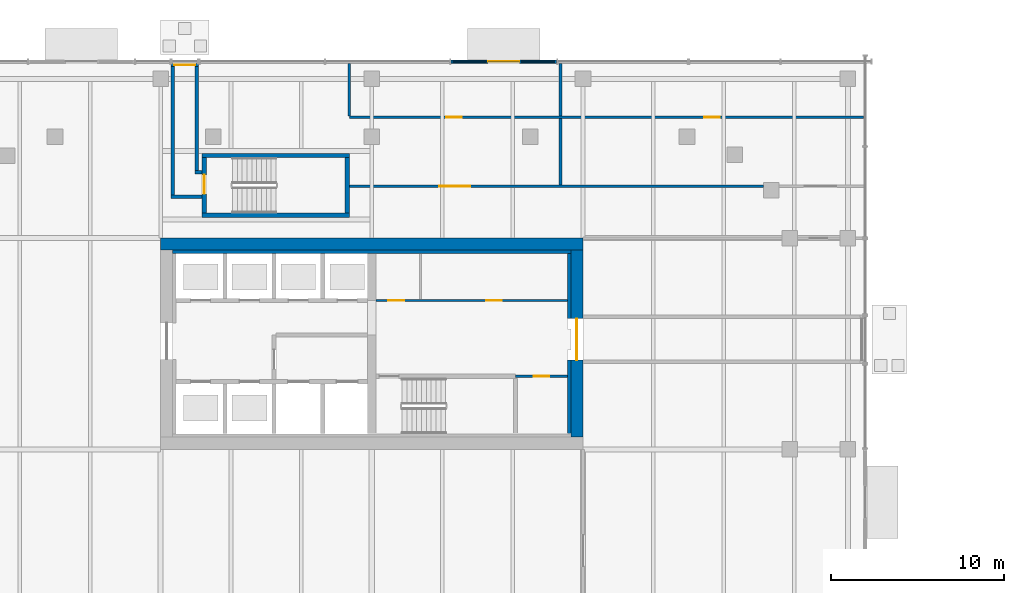
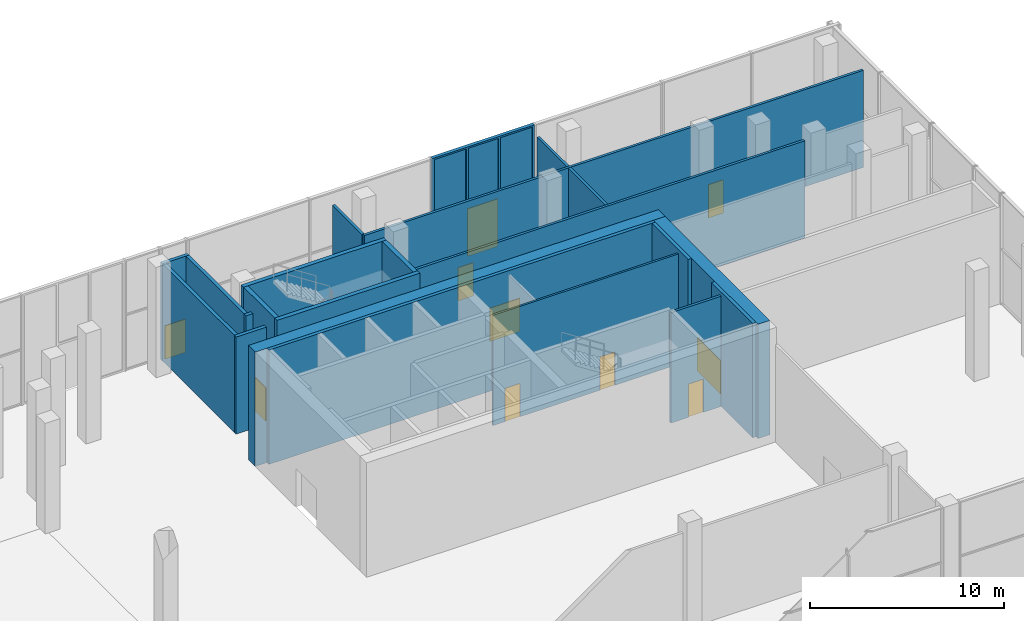
# One storey, part 24 of 36: 22 walls, 10 doors, 3 plates, 13 openings.
"""IFC4 building model written with IfcOpenShell, lengths in metres."""

from ifc_helpers import new_model, si_unit, direction, frame, frame_2d, origin, place, context, subcontext, project, spatial, polyline, rectangle, outline, extrude, source, transform, mapped, material, layer, layer_set, type_object, element, fill, save


model = new_model("IFC4")

# Units and contexts
model_context = context("Model", 3, precision=1e-05, world=origin(), true_north=direction((0.0, 1.0)))
body_context = subcontext(model_context, "Body", "Model", "MODEL_VIEW")
ifc_project = project(units=[si_unit("LENGTHUNIT", "METRE"), si_unit("AREAUNIT", "SQUARE_METRE"), si_unit("VOLUMEUNIT", "CUBIC_METRE"), si_unit("PLANEANGLEUNIT", "RADIAN"), si_unit("MASSUNIT", "GRAM", prefix="KILO")], contexts=[model_context])

# Site, building, storey
site_placement = place(None, origin())
site = spatial("IfcSite", under=ifc_project, at=site_placement, CompositionType="ELEMENT")
building_placement = place(site_placement, origin())
building = spatial("IfcBuilding", under=site, at=building_placement, Name="Tessera Gate Towers", CompositionType="ELEMENT")
storey_placement = place(building_placement, origin())
storey = spatial("IfcBuildingStorey", under=building, at=storey_placement, Name="L00", CompositionType="ELEMENT", Elevation=0.0)

# Wall
ifc_material_1 = material(Name="Concrete C40/50", Category="concrete")
ifc_layer_1 = layer(ifc_material_1, 0.25)
ifc_layer_set_1 = layer_set([ifc_layer_1], Name="CORE ENCLOSURE WALL 250")
wall_type_1 = type_object("IfcWallType", Name="CORE ENCLOSURE WALL 250", PredefinedType="SOLIDWALL", material=ifc_layer_set_1)
wall_1_placement = place(storey_placement, frame((108.5, 50.125, 0.0), z_axis=(0.0, 0.0, 1.0), x_axis=(-1.0, 0.0, 0.0)))
element("IfcWall", 1, at=wall_1_placement, inside=storey, type_object=wall_type_1, Name="L00 ST7 enclosure wall", PredefinedType="SOLIDWALL", context=body_context, shape_type="SweptSolid", body=[
    extrude(rectangle(XDim=8.5, YDim=0.25, at=frame_2d((4.25, 0.0))), origin(), (0.0, 0.0, 1.0), 7.199951171875),
])

# Wall, opening, door
wall_2_placement = place(storey_placement, frame((100.125, 50.25, 0.0), z_axis=(0.0, 0.0, 1.0), x_axis=(0.0, 1.0, 0.0)))
wall_2 = element("IfcWall", 2, at=wall_2_placement, inside=storey, type_object=wall_type_1, Name="L00 ST7 enclosure wall", PredefinedType="SOLIDWALL", context=body_context, shape_type="SweptSolid", body=[
    extrude(rectangle(XDim=3.199951171875, YDim=0.25, at=frame_2d((1.60009765625, 0.0))), origin(), (0.0, 0.0, 1.0), 7.199951171875),
])
shared_shape_1 = source(origin(), body_context, "Body", "SweptSolid", [
    extrude(rectangle(XDim=1.10009765625, YDim=2.10009765625, at=frame_2d((0.550048828125, 1.050048828125))), frame((0.0, 0.135009765625, 0.0), z_axis=(0.0, -1.0, 0.0), x_axis=(1.0, 0.0, 0.0)), (0.0, 0.0, 1.0), 0.27001953125),
])
opening_1_placement = place(wall_2_placement, frame((1.10009765625, 0.0, 0.0)))
opening_1 = element("IfcOpeningElement", 3, at=opening_1_placement, cuts=wall_2, Name="Opening SD-ST7-1", PredefinedType="OPENING", context=body_context, shape_type="MappedRepresentation", body=[
    mapped(shared_shape_1, transform((0.0, 0.0, 0.0), scale=1.0)),
])
ifc_material_2 = material(Name="Hollow steel fire door", Category="steel")
door_type_1 = type_object("IfcDoorType", Name="CORE DOOR SD1100 1100x2100", OperationType="NOTDEFINED", PredefinedType="DOOR", material=ifc_material_2)
shared_shape_2 = source(origin(), body_context, "Body", "SweptSolid", [
    extrude(rectangle(XDim=1.10009765625, YDim=2.10009765625, at=frame_2d((0.550048828125, 1.050048828125))), frame((0.0, 0.02490234375, 0.0), z_axis=(0.0, -1.0, 0.0), x_axis=(1.0, 0.0, 0.0)), (0.0, 0.0, 1.0), 0.050048828125),
])
door_1_placement = place(opening_1_placement, origin())
door_1 = element("IfcDoor", 4, at=door_1_placement, inside=storey, type_object=door_type_1, Name="Stair door", OperationType="SINGLE_SWING_RIGHT", OverallHeight=2.10009765625, OverallWidth=1.10009765625, PredefinedType="DOOR", context=body_context, shape_type="MappedRepresentation", body=[
    mapped(shared_shape_2, transform((0.0, 0.0, 0.0), scale=1.0)),
])
fill(opening_1, door_1)

# Walls
wall_3_placement = place(storey_placement, frame((100.0, 53.574951171875, 0.0), z_axis=(0.0, 0.0, 1.0), x_axis=(1.0, 0.0, 0.0)))
element("IfcWall", 5, at=wall_3_placement, inside=storey, type_object=wall_type_1, Name="L00 ST7 enclosure wall", PredefinedType="SOLIDWALL", context=body_context, shape_type="SweptSolid", body=[
    extrude(rectangle(XDim=8.5, YDim=0.25, at=frame_2d((4.25, 0.0))), origin(), (0.0, 0.0, 1.0), 7.199951171875),
])
wall_4_placement = place(storey_placement, frame((108.375, 53.449951171875, 0.0), z_axis=(0.0, 0.0, 1.0), x_axis=(0.0, -1.0, 0.0)))
element("IfcWall", 6, at=wall_4_placement, inside=storey, type_object=wall_type_1, Name="L00 ST7 enclosure wall", PredefinedType="SOLIDWALL", context=body_context, shape_type="SweptSolid", body=[
    extrude(rectangle(XDim=3.199951171875, YDim=0.25, at=frame_2d((1.60009765625, 0.0))), origin(), (0.0, 0.0, 1.0), 7.199951171875),
])

# Wall, openings, doors
ifc_material_3 = material(Name="Gypsum board on steel studs", Category="steel")
ifc_layer_2 = layer(ifc_material_3, 0.1201171875)
ifc_layer_set_2 = layer_set([ifc_layer_2], Name="CORE PARTITION 120")
wall_type_2 = type_object("IfcWallType", Name="CORE PARTITION 120", PredefinedType="PARTITIONING", material=ifc_layer_set_2)
wall_5_placement = place(storey_placement, frame((110.050048828125, 45.199951171875, 0.0), z_axis=(0.0, 0.0, 1.0), x_axis=(1.0, 0.0, 0.0)))
wall_5 = element("IfcWall", 7, at=wall_5_placement, inside=storey, type_object=wall_type_2, Name="L00 core partition", PredefinedType="PARTITIONING", context=body_context, shape_type="SweptSolid", body=[
    extrude(rectangle(XDim=11.050048828125, YDim=0.1201171875, at=frame_2d((5.52490234375, 0.0))), origin(), (0.0, 0.0, 1.0), 6.949951171875),
])
shared_shape_3 = source(origin(), body_context, "Body", "SweptSolid", [
    extrude(rectangle(XDim=0.89990234375, YDim=2.10009765625, at=frame_2d((0.449951171875, 1.050048828125))), frame((0.0, 0.070068359375, 0.0), z_axis=(0.0, -1.0, 0.0), x_axis=(1.0, 0.0, 0.0)), (0.0, 0.0, 1.0), 0.14013671875),
])
opening_2_placement = place(wall_5_placement, frame((0.71240234375, 0.0, 0.0)))
opening_2 = element("IfcOpeningElement", 8, at=opening_2_placement, cuts=wall_5, Name="Opening RD-T2-02-04", PredefinedType="OPENING", context=body_context, shape_type="MappedRepresentation", body=[
    mapped(shared_shape_3, transform((0.0, 0.0, 0.0), scale=1.0)),
])
opening_3_placement = place(wall_5_placement, frame((6.362548828125, 0.0, 0.0)))
opening_3 = element("IfcOpeningElement", 9, at=opening_3_placement, cuts=wall_5, Name="Opening RD-T2-02-05", PredefinedType="OPENING", context=body_context, shape_type="MappedRepresentation", body=[
    mapped(shared_shape_3, transform((0.0, 0.0, 0.0), scale=1.0)),
])
ifc_material_4 = material(Name="Hollow steel fire door", Category="steel")
door_type_2 = type_object("IfcDoorType", Name="CORE DOOR RD 900x2100", OperationType="NOTDEFINED", PredefinedType="DOOR", material=ifc_material_4)
shared_shape_4 = source(origin(), body_context, "Body", "SweptSolid", [
    extrude(rectangle(XDim=0.89990234375, YDim=2.10009765625, at=frame_2d((0.449951171875, 1.050048828125))), frame((0.0, 0.02490234375, 0.0), z_axis=(0.0, -1.0, 0.0), x_axis=(1.0, 0.0, 0.0)), (0.0, 0.0, 1.0), 0.050048828125),
])
door_2_placement = place(opening_2_placement, origin())
door_2 = element("IfcDoor", 10, at=door_2_placement, inside=storey, type_object=door_type_2, Name="Core room door", OperationType="SINGLE_SWING_LEFT", OverallHeight=2.10009765625, OverallWidth=0.89990234375, PredefinedType="DOOR", context=body_context, shape_type="MappedRepresentation", body=[
    mapped(shared_shape_4, transform((0.0, 0.0, 0.0), scale=1.0)),
])
fill(opening_2, door_2)
door_3_placement = place(opening_3_placement, origin())
door_3 = element("IfcDoor", 11, at=door_3_placement, inside=storey, type_object=door_type_2, Name="Core room door", OperationType="SINGLE_SWING_RIGHT", OverallHeight=2.10009765625, OverallWidth=0.89990234375, PredefinedType="DOOR", context=body_context, shape_type="MappedRepresentation", body=[
    mapped(shared_shape_4, transform((0.0, 0.0, 0.0), scale=1.0)),
])
fill(opening_3, door_3)

# Wall
ifc_material_5 = material(Name="Concrete C60/75", Category="concrete")
ifc_layer_3 = layer(ifc_material_5, 0.699951171875)
ifc_layer_set_3 = layer_set([ifc_layer_3], Name="CORE SHEAR WALL 700 C60/75")
wall_type_3 = type_object("IfcWallType", Name="CORE SHEAR WALL 700 C60/75", PredefinedType="SHEAR", material=ifc_layer_set_3)
wall_6_placement = place(storey_placement, frame((97.60009765625, 48.449951171875, 0.0), z_axis=(0.0, 0.0, 1.0), x_axis=(1.0, 0.0, 0.0)))
element("IfcWall", 12, at=wall_6_placement, inside=storey, type_object=wall_type_3, Name="Core wall N L00", PredefinedType="SHEAR", context=body_context, shape_type="SweptSolid", body=[
    extrude(rectangle(XDim=24.39990234375, YDim=0.699951171875, at=frame_2d((12.199951171875, 0.0))), origin(), (0.0, 0.0, 1.0), 7.199951171875),
])

# Wall, opening, door
wall_7_placement = place(storey_placement, frame((121.64990234375, 48.10009765625, 0.0), z_axis=(0.0, 0.0, 1.0), x_axis=(0.0, -1.0, 0.0)))
wall_7 = element("IfcWall", 13, at=wall_7_placement, inside=storey, type_object=wall_type_3, Name="Core wall E L00", PredefinedType="SHEAR", context=body_context, shape_type="SweptSolid", body=[
    extrude(rectangle(XDim=10.800048828125, YDim=0.699951171875, at=frame_2d((5.39990234375, 0.0))), origin(), (0.0, 0.0, 1.0), 7.199951171875),
])
shared_shape_5 = source(origin(), body_context, "Body", "SweptSolid", [
    extrude(rectangle(XDim=2.39990234375, YDim=2.10009765625, at=frame_2d((1.199951171875, 1.050048828125))), frame((0.0, 0.35986328125, 0.0), z_axis=(0.0, -1.0, 0.0), x_axis=(1.0, 0.0, 0.0)), (0.0, 0.0, 1.0), 0.719970703125),
])
opening_4_placement = place(wall_7_placement, frame((3.949951171875, 0.0, 0.0)))
opening_4 = element("IfcOpeningElement", 14, at=opening_4_placement, cuts=wall_7, Name="Opening ED-T2-02-02", PredefinedType="OPENING", context=body_context, shape_type="MappedRepresentation", body=[
    mapped(shared_shape_5, transform((0.0, 0.0, 0.0), scale=1.0)),
])
ifc_material_6 = material(Name="Hollow steel fire door", Category="steel")
door_type_3 = type_object("IfcDoorType", Name="CORE DOOR ED2400 2400x2100", OperationType="NOTDEFINED", PredefinedType="DOOR", material=ifc_material_6)
shared_shape_6 = source(origin(), body_context, "Body", "SweptSolid", [
    extrude(rectangle(XDim=2.39990234375, YDim=2.10009765625, at=frame_2d((1.199951171875, 1.050048828125))), frame((0.0, 0.02490234375, 0.0), z_axis=(0.0, -1.0, 0.0), x_axis=(1.0, 0.0, 0.0)), (0.0, 0.0, 1.0), 0.050048828125),
])
door_4_placement = place(opening_4_placement, origin())
door_4 = element("IfcDoor", 15, at=door_4_placement, inside=storey, type_object=door_type_3, Name="Core exit door", OperationType="SINGLE_SWING_LEFT", OverallHeight=2.10009765625, OverallWidth=2.39990234375, PredefinedType="DOOR", context=body_context, shape_type="MappedRepresentation", body=[
    mapped(shared_shape_6, transform((0.0, 0.0, 0.0), scale=1.0)),
])
fill(opening_4, door_4)

# Walls
ifc_material_7 = material(Name="Concrete C60/75", Category="concrete")
ifc_layer_4 = layer(ifc_material_7, 0.199951171875)
ifc_layer_set_4 = layer_set([ifc_layer_4], Name="CORE WALL THICKENING 200")
wall_type_4 = type_object("IfcWallType", Name="CORE WALL THICKENING 200", PredefinedType="SOLIDWALL", material=ifc_layer_set_4)
wall_8_placement = place(storey_placement, frame((98.300048828125, 48.0, 0.0), z_axis=(0.0, 0.0, 1.0), x_axis=(1.0, 0.0, 0.0)))
element("IfcWall", 16, at=wall_8_placement, inside=storey, type_object=wall_type_4, Name="Core wall thickening N L00", PredefinedType="SOLIDWALL", context=body_context, shape_type="SweptSolid", body=[
    extrude(rectangle(XDim=23.0, YDim=0.199951171875, at=frame_2d((11.5, 0.0))), origin(), (0.0, 0.0, 1.0), 7.199951171875),
])
wall_9_placement = place(storey_placement, frame((121.199951171875, 37.5, 0.0), z_axis=(0.0, 0.0, 1.0), x_axis=(0.0, 1.0, 0.0)))
element("IfcWall", 17, at=wall_9_placement, inside=storey, type_object=wall_type_4, Name="Core wall thickening E L00", PredefinedType="SOLIDWALL", context=body_context, shape_type="SweptSolid", body=[
    extrude(rectangle(XDim=4.25, YDim=0.199951171875, at=frame_2d((2.125, 0.0))), origin(), (0.0, 0.0, 1.0), 7.199951171875),
])
wall_10_placement = place(storey_placement, frame((121.199951171875, 44.14990234375, 0.0), z_axis=(0.0, 0.0, 1.0), x_axis=(0.0, 1.0, 0.0)))
element("IfcWall", 18, at=wall_10_placement, inside=storey, type_object=wall_type_4, Name="Core wall thickening E L00", PredefinedType="SOLIDWALL", context=body_context, shape_type="SweptSolid", body=[
    extrude(rectangle(XDim=3.75, YDim=0.199951171875, at=frame_2d((1.875, 0.0))), origin(), (0.0, 0.0, 1.0), 7.199951171875),
])

# Wall, opening, door
ifc_material_8 = material(Name="Gypsum board on steel studs, mineral wool", Category="steel")
ifc_layer_5 = layer(ifc_material_8, 0.14990234375)
ifc_layer_set_5 = layer_set([ifc_layer_5], Name="CORRIDOR WALL 150")
wall_type_5 = type_object("IfcWallType", Name="CORRIDOR WALL 150", PredefinedType="PARTITIONING", material=ifc_layer_set_5)
wall_11_placement = place(storey_placement, frame((108.5, 51.800048828125, 0.0), z_axis=(0.0, 0.0, 1.0), x_axis=(1.0, 0.0, 0.0)))
wall_11 = element("IfcWall", 19, at=wall_11_placement, inside=storey, type_object=wall_type_5, Name="PODIUM-L00-PW-025", PredefinedType="PARTITIONING", context=body_context, shape_type="SweptSolid", body=[
    extrude(rectangle(XDim=23.91796875, YDim=0.14990234375, at=frame_2d((11.958984375, 0.0))), origin(), (0.0, 0.0, 1.0), 6.114990234375),
])
shared_shape_7 = source(origin(), body_context, "Body", "SweptSolid", [
    extrude(rectangle(XDim=1.800048828125, YDim=2.10009765625, at=frame_2d((0.89990234375, 1.050048828125))), frame((0.0, 0.0849609375, 0.0), z_axis=(0.0, -1.0, 0.0), x_axis=(1.0, 0.0, 0.0)), (0.0, 0.0, 1.0), 0.169921875),
])
opening_5_placement = place(wall_11_placement, frame((5.199951171875, 0.0, 0.0)))
opening_5 = element("IfcOpeningElement", 20, at=opening_5_placement, cuts=wall_11, Name="Opening D2180FD60-P01-05", PredefinedType="OPENING", context=body_context, shape_type="MappedRepresentation", body=[
    mapped(shared_shape_7, transform((0.0, 0.0, 0.0), scale=1.0)),
])
ifc_material_9 = material(Name="Timber door leaf in steel frame", Category="steel")
door_type_4 = type_object("IfcDoorType", Name="TENANCY ENTRANCE DOUBLE DOOR 1800 FD60", OperationType="NOTDEFINED", PredefinedType="DOOR", material=ifc_material_9)
shared_shape_8 = source(origin(), body_context, "Body", "SweptSolid", [
    extrude(rectangle(XDim=1.800048828125, YDim=2.10009765625, at=frame_2d((0.89990234375, 1.050048828125))), frame((0.0, 0.02490234375, 0.0), z_axis=(0.0, -1.0, 0.0), x_axis=(1.0, 0.0, 0.0)), (0.0, 0.0, 1.0), 0.050048828125),
])
door_5_placement = place(opening_5_placement, origin())
door_5 = element("IfcDoor", 21, at=door_5_placement, inside=storey, type_object=door_type_4, Name="PODIUM-L00-PD-012", OperationType="DOUBLE_DOOR_SINGLE_SWING", OverallHeight=2.10009765625, OverallWidth=1.800048828125, PredefinedType="DOOR", context=body_context, shape_type="MappedRepresentation", body=[
    mapped(shared_shape_8, transform((0.0, 0.0, 0.0), scale=1.0)),
])
fill(opening_5, door_5)

ifc_material_10 = material(Name="Gypsum board on steel studs", Category="steel")
ifc_layer_6 = layer(ifc_material_10, 0.199951171875)
ifc_layer_set_6 = layer_set([ifc_layer_6], Name="EXIT PASSAGE WALL 200")
wall_type_6 = type_object("IfcWallType", Name="EXIT PASSAGE WALL 200", PredefinedType="PARTITIONING", material=ifc_layer_set_6)
wall_12_placement = place(storey_placement, frame((98.199951171875, 58.800048828125, 0.0), z_axis=(0.0, 0.0, 1.0), x_axis=(1.0, 0.0, 0.0)))
wall_12 = element("IfcWall", 22, at=wall_12_placement, inside=storey, type_object=wall_type_6, Name="L00 exit passage end wall", PredefinedType="PARTITIONING", context=body_context, shape_type="SweptSolid", body=[
    extrude(rectangle(XDim=1.60009765625, YDim=0.199951171875, at=frame_2d((0.800048828125, 0.0))), origin(), (0.0, 0.0, 1.0), 6.114990234375),
])
shared_shape_9 = source(origin(), body_context, "Body", "SweptSolid", [
    extrude(rectangle(XDim=1.199951171875, YDim=2.10009765625, at=frame_2d((0.60009765625, 1.050048828125))), frame((0.0, 0.10986328125, 0.0), z_axis=(0.0, -1.0, 0.0), x_axis=(1.0, 0.0, 0.0)), (0.0, 0.0, 1.0), 0.219970703125),
])
opening_6_placement = place(wall_12_placement, frame((0.199951171875, 0.0, 0.0)))
opening_6 = element("IfcOpeningElement", 23, at=opening_6_placement, cuts=wall_12, Name="Opening ED-ST7X", PredefinedType="OPENING", context=body_context, shape_type="MappedRepresentation", body=[
    mapped(shared_shape_9, transform((0.0, 0.0, 0.0), scale=1.0)),
])
ifc_material_11 = material(Name="Hollow steel fire door", Category="steel")
door_type_5 = type_object("IfcDoorType", Name="CORE DOOR ED 1200x2100", OperationType="NOTDEFINED", PredefinedType="DOOR", material=ifc_material_11)
shared_shape_10 = source(origin(), body_context, "Body", "SweptSolid", [
    extrude(rectangle(XDim=1.199951171875, YDim=2.10009765625, at=frame_2d((0.60009765625, 1.050048828125))), frame((0.0, 0.02490234375, 0.0), z_axis=(0.0, -1.0, 0.0), x_axis=(1.0, 0.0, 0.0)), (0.0, 0.0, 1.0), 0.050048828125),
])
door_6_placement = place(opening_6_placement, origin())
door_6 = element("IfcDoor", 24, at=door_6_placement, inside=storey, type_object=door_type_5, Name="Final exit door", OperationType="SINGLE_SWING_RIGHT", OverallHeight=2.10009765625, OverallWidth=1.199951171875, PredefinedType="DOOR", context=body_context, shape_type="MappedRepresentation", body=[
    mapped(shared_shape_10, transform((0.0, 0.0, 0.0), scale=1.0)),
])
fill(opening_6, door_6)

# Walls
wall_13_placement = place(storey_placement, frame((98.300048828125, 51.300048828125, 0.0), z_axis=(0.0, 0.0, 1.0), x_axis=(0.0, 1.0, 0.0)))
element("IfcWall", 25, at=wall_13_placement, inside=storey, type_object=wall_type_6, Name="L00 exit passage wall", PredefinedType="PARTITIONING", context=body_context, shape_type="SweptSolid", body=[
    extrude(rectangle(XDim=7.39990234375, YDim=0.199951171875, at=frame_2d((3.699951171875, 0.0))), origin(), (0.0, 0.0, 1.0), 6.114990234375),
])
wall_14_placement = place(storey_placement, frame((98.199951171875, 51.199951171875, 0.0), z_axis=(0.0, 0.0, 1.0), x_axis=(1.0, 0.0, 0.0)))
element("IfcWall", 26, at=wall_14_placement, inside=storey, type_object=wall_type_6, Name="L00 exit passage wall", PredefinedType="PARTITIONING", context=body_context, shape_type="SweptSolid", body=[
    extrude(rectangle(XDim=1.800048828125, YDim=0.199951171875, at=frame_2d((0.89990234375, 0.0))), origin(), (0.0, 0.0, 1.0), 6.114990234375),
])
wall_15_placement = place(storey_placement, frame((99.699951171875, 52.699951171875, 0.0), z_axis=(0.0, 0.0, 1.0), x_axis=(0.0, 1.0, 0.0)))
element("IfcWall", 27, at=wall_15_placement, inside=storey, type_object=wall_type_6, Name="L00 exit passage wall", PredefinedType="PARTITIONING", context=body_context, shape_type="SweptSolid", body=[
    extrude(rectangle(XDim=6.0, YDim=0.199951171875, at=frame_2d((3.0, 0.0))), origin(), (0.0, 0.0, 1.0), 6.114990234375),
])
wall_16_placement = place(storey_placement, frame((99.60009765625, 52.60009765625, 0.0), z_axis=(0.0, 0.0, 1.0), x_axis=(1.0, 0.0, 0.0)))
element("IfcWall", 28, at=wall_16_placement, inside=storey, type_object=wall_type_6, Name="L00 exit passage wall", PredefinedType="PARTITIONING", context=body_context, shape_type="SweptSolid", body=[
    extrude(rectangle(XDim=0.39990234375, YDim=0.199951171875, at=frame_2d((0.199951171875, 0.0))), origin(), (0.0, 0.0, 1.0), 6.114990234375),
])

# Wall, opening, door
ifc_material_12 = material(Name="Gypsum board on steel studs", Category="steel")
ifc_layer_7 = layer(ifc_material_12, 0.14990234375)
ifc_layer_set_7 = layer_set([ifc_layer_7], Name="SERVICE ROOM WALL 150")
wall_type_7 = type_object("IfcWallType", Name="SERVICE ROOM WALL 150", PredefinedType="PARTITIONING", material=ifc_layer_set_7)
wall_17_placement = place(storey_placement, frame((121.10009765625, 40.824951171875, 0.0), z_axis=(0.0, 0.0, 1.0), x_axis=(-1.0, 0.0, 0.0)))
wall_17 = element("IfcWall", 29, at=wall_17_placement, inside=storey, type_object=wall_type_7, Name="L00 service room wall", PredefinedType="PARTITIONING", context=body_context, shape_type="SweptSolid", body=[
    extrude(rectangle(XDim=3.0, YDim=0.14990234375, at=frame_2d((1.5, 0.0))), origin(), (0.0, 0.0, 1.0), 6.949951171875),
])
shared_shape_11 = source(origin(), body_context, "Body", "SweptSolid", [
    extrude(rectangle(XDim=0.89990234375, YDim=2.10009765625, at=frame_2d((0.449951171875, 1.050048828125))), frame((0.0, 0.0849609375, 0.0), z_axis=(0.0, -1.0, 0.0), x_axis=(1.0, 0.0, 0.0)), (0.0, 0.0, 1.0), 0.169921875),
])
opening_7_placement = place(wall_17_placement, frame((1.050048828125, 0.0, 0.0)))
opening_7 = element("IfcOpeningElement", 30, at=opening_7_placement, cuts=wall_17, Name="Opening RD-T2-02-06", PredefinedType="OPENING", context=body_context, shape_type="MappedRepresentation", body=[
    mapped(shared_shape_11, transform((0.0, 0.0, 0.0), scale=1.0)),
])
door_7_placement = place(opening_7_placement, origin())
door_7 = element("IfcDoor", 31, at=door_7_placement, inside=storey, type_object=door_type_2, Name="Core room door", OperationType="SINGLE_SWING_RIGHT", OverallHeight=2.10009765625, OverallWidth=0.89990234375, PredefinedType="DOOR", context=body_context, shape_type="MappedRepresentation", body=[
    mapped(shared_shape_4, transform((0.0, 0.0, 0.0), scale=1.0)),
])
fill(opening_7, door_7)

# Wall, openings, doors
ifc_material_13 = material(Name="Gypsum board on steel studs, mineral wool", Category="steel")
ifc_layer_8 = layer(ifc_material_13, 0.14990234375)
ifc_layer_set_8 = layer_set([ifc_layer_8], Name="STORE WALL 150")
wall_type_8 = type_object("IfcWallType", Name="STORE WALL 150", PredefinedType="PARTITIONING", material=ifc_layer_set_8)
wall_18_placement = place(storey_placement, frame((108.5, 55.77490234375, 0.0), z_axis=(0.0, 0.0, 1.0), x_axis=(1.0, 0.0, 0.0)))
wall_18 = element("IfcWall", 32, at=wall_18_placement, inside=storey, type_object=wall_type_8, Name="PODIUM-L00-PW-039", PredefinedType="PARTITIONING", context=body_context, shape_type="SweptSolid", body=[
    extrude(rectangle(XDim=29.699951171875, YDim=0.14990234375, at=frame_2d((14.85009765625, 0.0))), origin(), (0.0, 0.0, 1.0), 6.114990234375),
])
opening_8_placement = place(wall_18_placement, frame((5.60009765625, 0.0, 0.0)))
opening_8 = element("IfcOpeningElement", 33, at=opening_8_placement, cuts=wall_18, Name="Opening D490FD60-P01-05", PredefinedType="OPENING", context=body_context, shape_type="MappedRepresentation", body=[
    mapped(shared_shape_11, transform((0.0, 0.0, 0.0), scale=1.0)),
])
opening_9_placement = place(wall_18_placement, frame((20.5, 0.0, 0.0)))
opening_9 = element("IfcOpeningElement", 34, at=opening_9_placement, cuts=wall_18, Name="Opening D490FD60-P01-06", PredefinedType="OPENING", context=body_context, shape_type="MappedRepresentation", body=[
    mapped(shared_shape_11, transform((0.0, 0.0, 0.0), scale=1.0)),
])
ifc_material_14 = material(Name="Timber door leaf in steel frame", Category="steel")
door_type_6 = type_object("IfcDoorType", Name="STORE DOOR 900 FD60", OperationType="NOTDEFINED", PredefinedType="DOOR", material=ifc_material_14)
door_8_placement = place(opening_8_placement, origin())
door_8 = element("IfcDoor", 35, at=door_8_placement, inside=storey, type_object=door_type_6, Name="PODIUM-L00-PD-017", OperationType="SINGLE_SWING_LEFT", OverallHeight=2.10009765625, OverallWidth=0.89990234375, PredefinedType="DOOR", context=body_context, shape_type="MappedRepresentation", body=[
    mapped(shared_shape_4, transform((0.0, 0.0, 0.0), scale=1.0)),
])
fill(opening_8, door_8)
door_9_placement = place(opening_9_placement, origin())
door_9 = element("IfcDoor", 36, at=door_9_placement, inside=storey, type_object=door_type_6, Name="PODIUM-L00-PD-019", OperationType="SINGLE_SWING_LEFT", OverallHeight=2.10009765625, OverallWidth=0.89990234375, PredefinedType="DOOR", context=body_context, shape_type="MappedRepresentation", body=[
    mapped(shared_shape_4, transform((0.0, 0.0, 0.0), scale=1.0)),
])
fill(opening_9, door_9)

# Walls
for number, where, z_axis, x_axis, name in (
    (37, (108.5, 55.85107421875, 0.0), (0.0, 0.0, 1.0), (0.0, 1.0, 0.0), "PODIUM-L00-PW-040"),
    (38, (120.699951171875, 55.85107421875, 0.0), (0.0, 0.0, 1.0), (0.0, 1.0, 0.0), "PODIUM-L00-PW-041"),
):
    element("IfcWall", number, at=place(storey_placement, frame(where, z_axis=z_axis, x_axis=x_axis)), inside=storey, type_object=wall_type_8, Name=name, PredefinedType="PARTITIONING", context=body_context, shape_type="SweptSolid", body=[
        extrude(rectangle(XDim=3.048828125, YDim=0.14990234375, at=frame_2d((1.5244140625, 0.0))), origin(), (0.0, 0.0, 1.0), 6.114990234375),
    ])
ifc_material_15 = material(Name="Gypsum board on steel studs, mineral wool", Category="steel")
ifc_layer_9 = layer(ifc_material_15, 0.14990234375)
ifc_layer_set_9 = layer_set([ifc_layer_9], Name="TENANCY WALL 150")
wall_type_9 = type_object("IfcWallType", Name="TENANCY WALL 150", PredefinedType="PARTITIONING", material=ifc_layer_set_9)
wall_19_placement = place(storey_placement, frame((120.699951171875, 51.8759765625, 0.0), z_axis=(0.0, 0.0, 1.0), x_axis=(0.0, 1.0, 0.0)))
element("IfcWall", 39, at=wall_19_placement, inside=storey, type_object=wall_type_9, Name="PODIUM-L00-PW-032", PredefinedType="PARTITIONING", context=body_context, shape_type="SweptSolid", body=[
    extrude(rectangle(XDim=3.822998046875, YDim=0.14990234375, at=frame_2d((1.91162109375, 0.0))), origin(), (0.0, 0.0, 1.0), 6.114990234375),
])

# Wall, openings, plates, door
ifc_material_16 = material(Name="Aluminium storefront glazing", Category="aluminium")
ifc_layer_10 = layer(ifc_material_16, 0.199951171875)
ifc_layer_set_10 = layer_set([ifc_layer_10], Name="WS2 storefront bay wall")
wall_type_10 = type_object("IfcWallType", Name="WS2 storefront bay wall", PredefinedType="PARTITIONING", material=ifc_layer_set_10)
wall_20_placement = place(storey_placement, frame((120.47509765625, 59.0, 0.0), z_axis=(0.0, 0.0, 1.0), x_axis=(-1.0, 0.0, 0.0)))
wall_20 = element("IfcWall", 40, at=wall_20_placement, inside=storey, type_object=wall_type_10, Name="Storefront bay wall PD WS2-0003", PredefinedType="PARTITIONING", context=body_context, shape_type="SweptSolid", body=[
    extrude(rectangle(XDim=6.10009765625, YDim=0.199951171875, at=frame_2d((3.050048828125, 0.0))), origin(), (0.0, 0.0, 1.0), 6.949951171875),
])
shared_shape_12 = source(origin(), body_context, "Body", "SweptSolid", [
    extrude(rectangle(XDim=1.800048828125, YDim=3.0, at=frame_2d((0.89990234375, 1.5))), frame((0.0, 0.10986328125, 0.0), z_axis=(0.0, -1.0, 0.0), x_axis=(1.0, 0.0, 0.0)), (0.0, 0.0, 1.0), 0.219970703125),
])
opening_10_placement = place(wall_20_placement, frame((2.14990234375, 0.0, 0.0)))
opening_10 = element("IfcOpeningElement", 41, at=opening_10_placement, cuts=wall_20, Name="Opening D-EP03", PredefinedType="OPENING", context=body_context, shape_type="MappedRepresentation", body=[
    mapped(shared_shape_12, transform((0.0, 0.0, 0.0), scale=1.0)),
])
shared_shape_13 = source(origin(), body_context, "Body", "SweptSolid", [
    extrude(outline(polyline([(0.1201171875, 0.10009765625), (2.030029296875, 0.10009765625), (2.030029296875, 6.85009765625), (0.1201171875, 6.85009765625), (0.1201171875, 0.10009765625)])), frame((0.0, 0.10986328125, 0.0), z_axis=(0.0, -1.0, 0.0), x_axis=(1.0, 0.0, 0.0)), (0.0, 0.0, 1.0), 0.219970703125),
])
opening_11_placement = place(wall_20_placement, origin())
opening_11 = element("IfcOpeningElement", 42, at=opening_11_placement, cuts=wall_20, Name="Opening PD-PL3-0007", PredefinedType="OPENING", context=body_context, shape_type="MappedRepresentation", body=[
    mapped(shared_shape_13, transform((0.0, 0.0, 0.0), scale=1.0)),
])
shared_shape_14 = source(origin(), body_context, "Body", "SweptSolid", [
    extrude(outline(polyline([(4.070068359375, 0.10009765625), (5.97998046875, 0.10009765625), (5.97998046875, 6.85009765625), (4.070068359375, 6.85009765625), (4.070068359375, 0.10009765625)])), frame((0.0, 0.10986328125, 0.0), z_axis=(0.0, -1.0, 0.0), x_axis=(1.0, 0.0, 0.0)), (0.0, 0.0, 1.0), 0.219970703125),
])
opening_12_placement = place(wall_20_placement, origin())
opening_12 = element("IfcOpeningElement", 43, at=opening_12_placement, cuts=wall_20, Name="Opening PD-PL3-0008", PredefinedType="OPENING", context=body_context, shape_type="MappedRepresentation", body=[
    mapped(shared_shape_14, transform((0.0, 0.0, 0.0), scale=1.0)),
])
shared_shape_15 = source(origin(), body_context, "Body", "SweptSolid", [
    extrude(outline(polyline([(2.14990234375, 3.1201171875), (3.949951171875, 3.1201171875), (3.949951171875, 6.85009765625), (2.14990234375, 6.85009765625), (2.14990234375, 3.1201171875)])), frame((0.0, 0.10986328125, 0.0), z_axis=(0.0, -1.0, 0.0), x_axis=(1.0, 0.0, 0.0)), (0.0, 0.0, 1.0), 0.219970703125),
])
opening_13_placement = place(wall_20_placement, origin())
opening_13 = element("IfcOpeningElement", 44, at=opening_13_placement, cuts=wall_20, Name="Opening PD-PL3-0009", PredefinedType="OPENING", context=body_context, shape_type="MappedRepresentation", body=[
    mapped(shared_shape_15, transform((0.0, 0.0, 0.0), scale=1.0)),
])
ifc_material_17 = material(Name="Low-e laminated glass", Category="glass")
ifc_layer_11 = layer(ifc_material_17, 0.06005859375)
ifc_layer_set_11 = layer_set([ifc_layer_11], Name="PL3 storefront pane")
plate_type = type_object("IfcPlateType", Name="PL3 storefront pane", PredefinedType="SHEET", material=ifc_layer_set_11)
shared_shape_16 = source(origin(), body_context, "Body", "SweptSolid", [
    extrude(outline(polyline([(0.1201171875, 0.10009765625), (2.030029296875, 0.10009765625), (2.030029296875, 6.85009765625), (0.1201171875, 6.85009765625), (0.1201171875, 0.10009765625)])), frame((0.0, 0.030029296875, 0.0), z_axis=(0.0, -1.0, 0.0), x_axis=(1.0, 0.0, 0.0)), (0.0, 0.0, 1.0), 0.06005859375),
])
plate_1_placement = place(opening_11_placement, origin())
plate_1 = element("IfcPlate", 45, at=plate_1_placement, inside=storey, type_object=plate_type, Name="Glass pane PD PL3-0007", PredefinedType="SHEET", context=body_context, shape_type="MappedRepresentation", body=[
    mapped(shared_shape_16, transform((0.0, 0.0, 0.0), scale=1.0)),
])
fill(opening_11, plate_1)
shared_shape_17 = source(origin(), body_context, "Body", "SweptSolid", [
    extrude(outline(polyline([(4.070068359375, 0.10009765625), (5.97998046875, 0.10009765625), (5.97998046875, 6.85009765625), (4.070068359375, 6.85009765625), (4.070068359375, 0.10009765625)])), frame((0.0, 0.030029296875, 0.0), z_axis=(0.0, -1.0, 0.0), x_axis=(1.0, 0.0, 0.0)), (0.0, 0.0, 1.0), 0.06005859375),
])
plate_2_placement = place(opening_12_placement, origin())
plate_2 = element("IfcPlate", 46, at=plate_2_placement, inside=storey, type_object=plate_type, Name="Glass pane PD PL3-0008", PredefinedType="SHEET", context=body_context, shape_type="MappedRepresentation", body=[
    mapped(shared_shape_17, transform((0.0, 0.0, 0.0), scale=1.0)),
])
fill(opening_12, plate_2)
shared_shape_18 = source(origin(), body_context, "Body", "SweptSolid", [
    extrude(outline(polyline([(2.14990234375, 3.1201171875), (3.949951171875, 3.1201171875), (3.949951171875, 6.85009765625), (2.14990234375, 6.85009765625), (2.14990234375, 3.1201171875)])), frame((0.0, 0.030029296875, 0.0), z_axis=(0.0, -1.0, 0.0), x_axis=(1.0, 0.0, 0.0)), (0.0, 0.0, 1.0), 0.06005859375),
])
plate_3_placement = place(opening_13_placement, origin())
plate_3 = element("IfcPlate", 47, at=plate_3_placement, inside=storey, type_object=plate_type, Name="Glass pane PD PL3-0009", PredefinedType="SHEET", context=body_context, shape_type="MappedRepresentation", body=[
    mapped(shared_shape_18, transform((0.0, 0.0, 0.0), scale=1.0)),
])
fill(opening_13, plate_3)
ifc_material_18 = material(Name="Aluminium storefront glazing", Category="aluminium")
ifc_layer_12 = layer(ifc_material_18, 0.050048828125)
ifc_layer_set_12 = layer_set([ifc_layer_12], Name="DL1 entrance door")
door_type_7 = type_object("IfcDoorType", Name="DL1 entrance door", OperationType="DOUBLE_DOOR_SINGLE_SWING", PredefinedType="DOOR", material=ifc_layer_set_12)
shared_shape_19 = source(origin(), body_context, "Body", "SweptSolid", [
    extrude(rectangle(XDim=1.800048828125, YDim=3.0, at=frame_2d((0.89990234375, 1.5))), frame((0.0, 0.02490234375, 0.0), z_axis=(0.0, -1.0, 0.0), x_axis=(1.0, 0.0, 0.0)), (0.0, 0.0, 1.0), 0.050048828125),
])
door_10_placement = place(opening_10_placement, origin())
door_10 = element("IfcDoor", 48, at=door_10_placement, inside=storey, type_object=door_type_7, Name="Entrance door D-EP03", OperationType="DOUBLE_DOOR_SINGLE_SWING", OverallHeight=3.0, OverallWidth=1.800048828125, PredefinedType="DOOR", context=body_context, shape_type="MappedRepresentation", body=[
    mapped(shared_shape_19, transform((0.0, 0.0, 0.0), scale=1.0)),
])
fill(opening_10, door_10)

save(model, "model.ifc")
